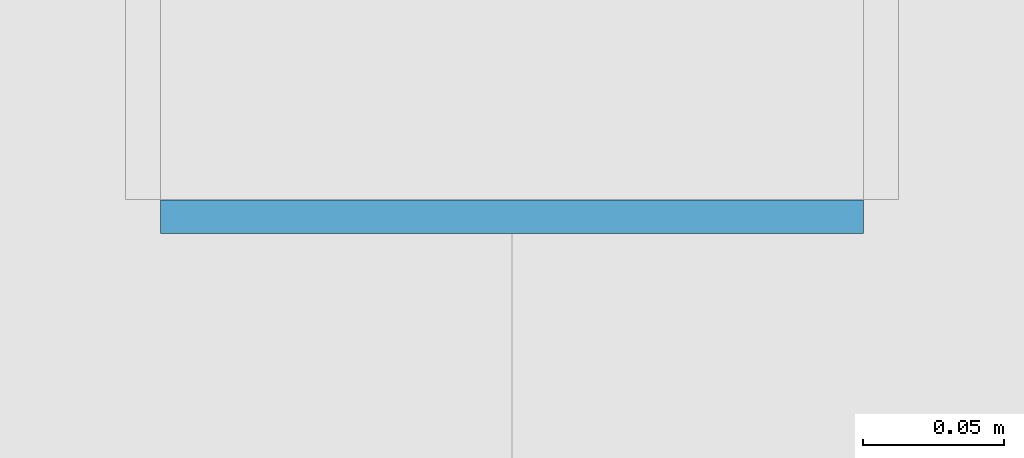
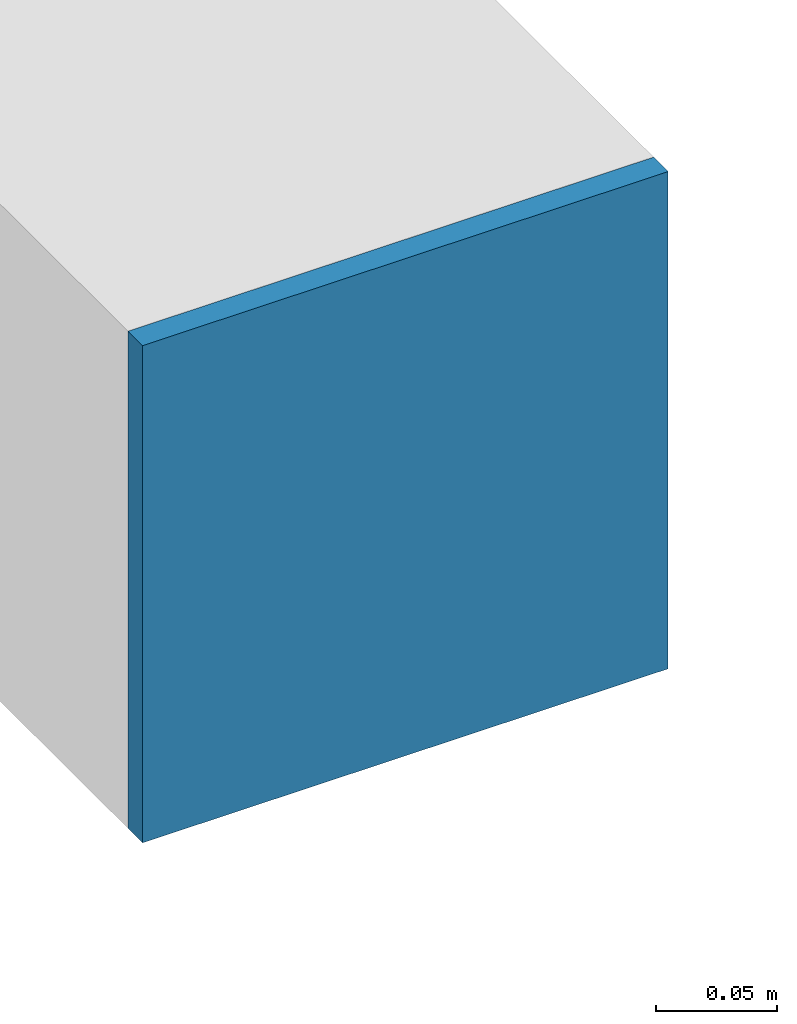
# One storey, part 45 of 58: 1 plate.
"""IFC4 building model written with IfcOpenShell, lengths in metres."""

from ifc_helpers import new_model, si_unit, direction, frame, origin, origin_2d, place, context, subcontext, project, spatial, rectangle, extrude, source, transform, mapped, material, layer, layer_set, type_object, element, save


model = new_model("IFC4")

# Units and contexts
model_context = context("Model", 3, precision=1e-05, world=origin(), true_north=direction((0.0, 1.0)))
body_context = subcontext(model_context, "Body", "Model", "MODEL_VIEW")
ifc_project = project(units=[si_unit("LENGTHUNIT", "METRE"), si_unit("AREAUNIT", "SQUARE_METRE"), si_unit("VOLUMEUNIT", "CUBIC_METRE"), si_unit("PLANEANGLEUNIT", "RADIAN"), si_unit("MASSUNIT", "GRAM", prefix="KILO")], contexts=[model_context])

# Site, building, storey
site_placement = place(None, origin())
site = spatial("IfcSite", under=ifc_project, at=site_placement, CompositionType="ELEMENT")
building_placement = place(site_placement, origin())
building = spatial("IfcBuilding", under=site, at=building_placement, Name="Taldren Reach Tower", CompositionType="ELEMENT")
storey_placement = place(building_placement, frame((0.0, 0.0, 51.449951171875)))
storey = spatial("IfcBuildingStorey", under=building, at=storey_placement, Name="L15", CompositionType="ELEMENT", Elevation=51.449951171875)

# Plate
ifc_material = material(Name="Steel Gr 350 (C350L0)", Category="steel")
ifc_layer = layer(ifc_material, 0.011962890625)
ifc_layer_set = layer_set([ifc_layer], Name="Steel Gr 350 (C350L0)")
plate_type = type_object("IfcPlateType", Name="PL-CAP-250", PredefinedType="SHEET", material=ifc_layer_set)
shared_shape = source(origin(), body_context, "Body", "SweptSolid", [
    extrude(rectangle(XDim=0.25, YDim=0.011962890625, at=origin_2d()), origin(), (0.0, 0.0, 1.0), 0.25),
])
plate_placement = place(storey_placement, frame((29.760009765625, 0.593994140625, 0.094970703125), z_axis=(0.0, 0.0, 1.0), x_axis=(1.0, 0.0, 0.0)))
element("IfcPlate", 1, at=plate_placement, inside=storey, type_object=plate_type, Name="Tie strut end cap plate B1-S3 L15", PredefinedType="SHEET", context=body_context, shape_type="MappedRepresentation", body=[
    mapped(shared_shape, transform((0.0, 0.0, 0.0), scale=1.0)),
])

save(model, "model.ifc")
